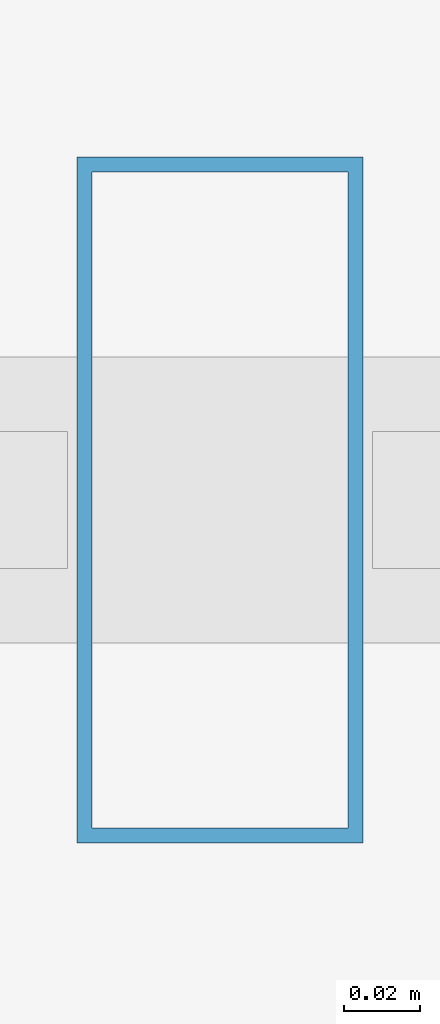
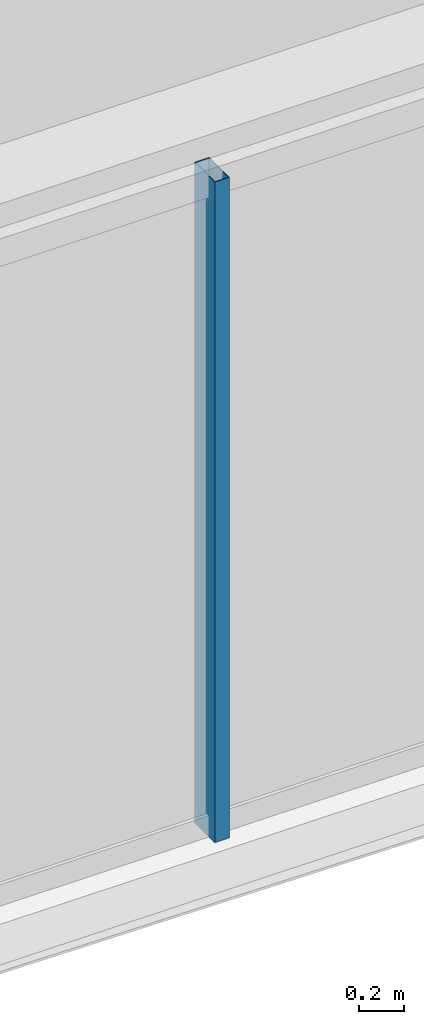
# One storey, part 8 of 34: 1 member, 1 element without a shape of its own.
"""IFC4 building model written with IfcOpenShell, lengths in metres."""

import ifcopenshell
import ifcopenshell.guid

model = None  # the IFC model being written
_history = None  # IfcOwnerHistory: only IFC2X3 demands one
_inside = {}  # id of a spatial element -> (the spatial element, [elements in it])
_under = {}  # id of a project, library or spatial element -> (it, [spatial elements below it])
_declared = {}  # id of a project -> (the project, [libraries it declares])
_typed = {}  # id of a type object -> (the type object, [elements of that type])
_made_of = {}  # id of a material, layer set ... -> (it, [elements and type objects made of it])


def new_model(schema):
    """Start an empty IFC model of exactly this schema.

    Asked for "IFC4X3", IfcOpenShell would pick the latest addendum, in which some entities
    have other attributes; the version numbers below select the first issue.
    IFC2X3 requires an IfcOwnerHistory on every rooted entity: one is made here for all.
    """
    global model, _history
    if schema == "IFC4X3":
        model = ifcopenshell.file(schema_version=(4, 3, 0, 0))
    else:
        model = ifcopenshell.file(schema=schema)
    _inside.clear()
    _under.clear()
    _declared.clear()
    _typed.clear()
    _made_of.clear()
    _history = None
    if model.schema == "IFC2X3":
        org = make("IfcOrganization", Name="unknown")
        user = make(
            "IfcPersonAndOrganization",
            ThePerson=make("IfcPerson", FamilyName="unknown"),
            TheOrganization=org,
        )
        app = make(
            "IfcApplication",
            ApplicationDeveloper=org,
            Version="unknown",
            ApplicationFullName="unknown",
            ApplicationIdentifier="unknown",
        )
        _history = make(
            "IfcOwnerHistory",
            OwningUser=user,
            OwningApplication=app,
            ChangeAction="ADDED",
            CreationDate=0,
        )
    return model


def make(cls, **values):
    """One entity of the class cls with the attributes given. An attribute that is None is left unset."""
    return model.create_entity(
        cls, **{name: value for name, value in values.items() if value is not None}
    )


def rooted(cls, **values):
    """An entity with a GlobalId (a new one), such as an element, a storey or a relation."""
    return make(cls, GlobalId=ifcopenshell.guid.new(), OwnerHistory=_history, **values)


def si_unit(unit_type, name, prefix=None):
    """IfcSIUnit, for example si_unit("LENGTHUNIT", "METRE", prefix="MILLI")."""
    return make("IfcSIUnit", UnitType=unit_type, Prefix=prefix, Name=name)


def assignment(units):
    """IfcUnitAssignment: the units of a project."""
    return None if units is None else make("IfcUnitAssignment", Units=units)


def point(xyz):
    """IfcCartesianPoint."""
    return None if xyz is None else make("IfcCartesianPoint", Coordinates=xyz)


def direction(xyz):
    """IfcDirection."""
    return None if xyz is None else make("IfcDirection", DirectionRatios=xyz)


def frame(location, z_axis=None, x_axis=None):
    """IfcAxis2Placement3D, a coordinate frame: its origin and axes. An axis left out is left unset."""
    return make(
        "IfcAxis2Placement3D",
        Location=point(location),
        Axis=direction(z_axis),
        RefDirection=direction(x_axis),
    )


def frame_2d(location, x_axis=None):
    """IfcAxis2Placement2D, a coordinate frame in the plane: its origin and x axis."""
    return make(
        "IfcAxis2Placement2D", Location=point(location), RefDirection=direction(x_axis)
    )


def origin():
    """The frame at (0, 0, 0) with its axes left unset."""
    return frame((0.0, 0.0, 0.0))


def origin_2d():
    """The frame at (0, 0) in the plane with its x axis left unset."""
    return frame_2d((0.0, 0.0))


def place(relative_to, where):
    """IfcLocalPlacement: puts the frame where relative to a parent placement (None: the world)."""
    return make(
        "IfcLocalPlacement", PlacementRelTo=relative_to, RelativePlacement=where
    )


def context(
    kind, dimensions, precision=None, world=None, true_north=None, identifier=None
):
    """IfcGeometricRepresentationContext, for example the 3D "Model" context."""
    return make(
        "IfcGeometricRepresentationContext",
        ContextIdentifier=identifier,
        ContextType=kind,
        CoordinateSpaceDimension=dimensions,
        Precision=precision,
        WorldCoordinateSystem=world,
        TrueNorth=true_north,
    )


def subcontext(parent, identifier, kind, view, scale=None):
    """IfcGeometricRepresentationSubContext, for example "Body" below "Model"."""
    return make(
        "IfcGeometricRepresentationSubContext",
        ContextIdentifier=identifier,
        ContextType=kind,
        ParentContext=parent,
        TargetScale=scale,
        TargetView=view,
    )


def project(units=None, contexts=None):
    """IfcProject with its units and contexts."""
    return rooted(
        "IfcProject",
        Name="project",
        RepresentationContexts=contexts,
        UnitsInContext=assignment(units),
    )


def spatial(cls, under=None, at=None, **own):
    """A site, building, storey or space (cls), placed at a placement, below another one or the project."""
    s = rooted(cls, ObjectPlacement=at, **own)
    if under is not None:
        _under.setdefault(under.id(), (under, []))[1].append(s)
    return s


def profile(cls, at=None, kind="AREA", **sizes):
    """A parametric profile (cls). Its sizes go by their IFC names, for example OverallWidth=200.0."""
    return make(cls, ProfileType=kind, Position=at, **sizes)


def hollow_rectangle(**sizes):
    """IfcRectangleHollowProfileDef."""
    return profile("IfcRectangleHollowProfileDef", **sizes)


def extrude(swept, where, along, depth):
    """IfcExtrudedAreaSolid: the profile swept, set in the frame where, extruded along a direction by depth."""
    return make(
        "IfcExtrudedAreaSolid",
        SweptArea=swept,
        Position=where,
        ExtrudedDirection=direction(along),
        Depth=depth,
    )


def shape(context_of_items, identifier, shape_type, items):
    """IfcShapeRepresentation: the items that make up one representation, for example the "Body"."""
    return make(
        "IfcShapeRepresentation",
        ContextOfItems=context_of_items,
        RepresentationIdentifier=identifier,
        RepresentationType=shape_type,
        Items=items,
    )


def material(Name=None, Category=None):
    """IfcMaterial."""
    return make("IfcMaterial", Name=Name, Category=Category)


def layer(
    of_material, thickness, ventilated=None, Name=None, Category=None, Priority=None
):
    """IfcMaterialLayer: one layer of a wall or slab, of a material (None: an air gap)."""
    return make(
        "IfcMaterialLayer",
        Material=of_material,
        LayerThickness=thickness,
        IsVentilated=ventilated,
        Name=Name,
        Category=Category,
        Priority=Priority,
    )


def layer_set(layers, Name=None):
    """IfcMaterialLayerSet."""
    return make("IfcMaterialLayerSet", MaterialLayers=layers, LayerSetName=Name)


def material_profile(
    of_material, cross_section, Name=None, Category=None, Priority=None
):
    """IfcMaterialProfile: a cross section and its material."""
    return make(
        "IfcMaterialProfile",
        Name=Name,
        Material=of_material,
        Profile=cross_section,
        Priority=Priority,
        Category=Category,
    )


def profile_set(profiles, Name=None, composite=None):
    """IfcMaterialProfileSet."""
    return make(
        "IfcMaterialProfileSet",
        Name=Name,
        MaterialProfiles=profiles,
        CompositeProfile=composite,
    )


def made_of(thing, what):
    """Note that an element or type object is made of a material, layer set ...; save() writes the relation."""
    if what is not None:
        _made_of.setdefault(what.id(), (what, []))[1].append(thing)
    return thing


def type_object(cls, material=None, **own):
    """A type object (cls), such as IfcWallType, which elements share."""
    return made_of(rooted(cls, **own), material)


def element(
    cls,
    number,
    at=None,
    inside=None,
    cuts=None,
    type_object=None,
    material=None,
    context=None,
    identifier="Body",
    shape_type=None,
    held_by="IfcProductDefinitionShape",
    body=None,
    shapes=None,
    **own,
):
    """One element of the class cls, such as IfcWall. Its Tag is "e" and its number.

    at: its placement. inside: the storey or other place that contains it. cuts: it is an
    opening in that element (IfcRelVoidsElement). A single representation is given by context,
    identifier, shape_type and body (its items); several are given by shapes. held_by: the class
    of the entity that holds the representations. save() writes the other relations.
    """
    e = rooted(cls, Tag="e%d" % number, ObjectPlacement=at, **own)
    if body is not None:
        shapes = [shape(context, identifier, shape_type, body)]
    if shapes is not None:
        e.Representation = make(held_by, Representations=shapes)
    if inside is not None:
        _inside.setdefault(inside.id(), (inside, []))[1].append(e)
    if cuts is not None:
        rooted(
            "IfcRelVoidsElement", RelatingBuildingElement=cuts, RelatedOpeningElement=e
        )
    if type_object is not None:
        _typed.setdefault(type_object.id(), (type_object, []))[1].append(e)
    return made_of(e, material)


def aggregate(whole, parts):
    """IfcRelAggregates: a whole, such as a stair, and the parts it consists of."""
    return rooted("IfcRelAggregates", RelatingObject=whole, RelatedObjects=parts)


def save(model, path):
    """Write the relations noted so far, then the file.

    IfcRelAggregates (storeys below a building ...), IfcRelContainedInSpatialStructure (elements
    in a storey), IfcRelDefinesByType, IfcRelAssociatesMaterial and IfcRelDeclares: one each for
    every whole, place, type object, material and project.
    """
    for whole, parts in _under.values():
        aggregate(whole, parts)
    for where, things in _inside.values():
        rooted(
            "IfcRelContainedInSpatialStructure",
            RelatedElements=things,
            RelatingStructure=where,
        )
    for kind, things in _typed.values():
        rooted("IfcRelDefinesByType", RelatedObjects=things, RelatingType=kind)
    for what, things in _made_of.values():
        rooted("IfcRelAssociatesMaterial", RelatedObjects=things, RelatingMaterial=what)
    for by, libraries in _declared.values():
        rooted("IfcRelDeclares", RelatingContext=by, RelatedDefinitions=libraries)
    model.write(path)


model = new_model("IFC4")

# Units and contexts
model_context = context("Model", 3, precision=1e-05, world=origin(), true_north=direction((0.0, 1.0)))
body_context = subcontext(model_context, "Body", "Model", "MODEL_VIEW")
ifc_project = project(units=[si_unit("LENGTHUNIT", "METRE"), si_unit("AREAUNIT", "SQUARE_METRE"), si_unit("VOLUMEUNIT", "CUBIC_METRE"), si_unit("PLANEANGLEUNIT", "RADIAN"), si_unit("MASSUNIT", "GRAM", prefix="KILO")], contexts=[model_context])

# Site, building, storey
site_placement = place(None, origin())
site = spatial("IfcSite", under=ifc_project, at=site_placement, CompositionType="ELEMENT")
building_placement = place(site_placement, origin())
building = spatial("IfcBuilding", under=site, at=building_placement, Name="Ndaravel Arena Tower", CompositionType="ELEMENT")
storey_placement = place(building_placement, frame((0.0, 0.0, 267.39990234375)))
storey = spatial("IfcBuildingStorey", under=building, at=storey_placement, Name="L65", CompositionType="ELEMENT", Elevation=267.39990234375)

# Curtain wall, member
ifc_material_1 = material(Name="Aluminium", Category="aluminium")
ifc_layer = layer(ifc_material_1, 0.179931640625)
ifc_layer_set = layer_set([ifc_layer], Name="Aluminium")
curtain_wall_type = type_object("IfcCurtainWallType", Name="CW-SYS-03", PredefinedType="NOTDEFINED", material=ifc_layer_set)
curtain_wall_placement = place(storey_placement, origin())
curtain_wall = element("IfcCurtainWall", 1, at=curtain_wall_placement, inside=storey, type_object=curtain_wall_type, Name="L65 Faceted Crystal Curtain Wall CW-L65-E01", PredefinedType="NOTDEFINED")
ifc_material_2 = material(Name="Aluminium", Category="aluminium")
ifc_material_profile = material_profile(ifc_material_2, hollow_rectangle(XDim=0.074951171875, YDim=0.179931640625, WallThickness=0.00390625, at=origin_2d()), Name="CW MULLION 75x180x4")
ifc_profile_set = profile_set([ifc_material_profile], Name="Aluminium")
member_type = type_object("IfcMemberType", Name="MEM-CW-MUL180", PredefinedType="MULLION", material=ifc_profile_set)
member_placement = place(storey_placement, frame((39.788818359375, 5.159912109375, 0.0), z_axis=(0.0, 0.0, 1.0), x_axis=(1.0, 0.0, 0.0)))
member = element("IfcMember", 2, at=member_placement, type_object=member_type, Name="CW-L65-E01 Mullion 04", PredefinedType="MULLION", context=body_context, shape_type="SweptSolid", body=[
    extrude(hollow_rectangle(XDim=0.074951171875, YDim=0.179931640625, WallThickness=0.00390625, at=origin_2d()), origin(), (0.0, 0.0, 1.0), 3.580078125),
])
aggregate(curtain_wall, [member])

save(model, "model.ifc")
